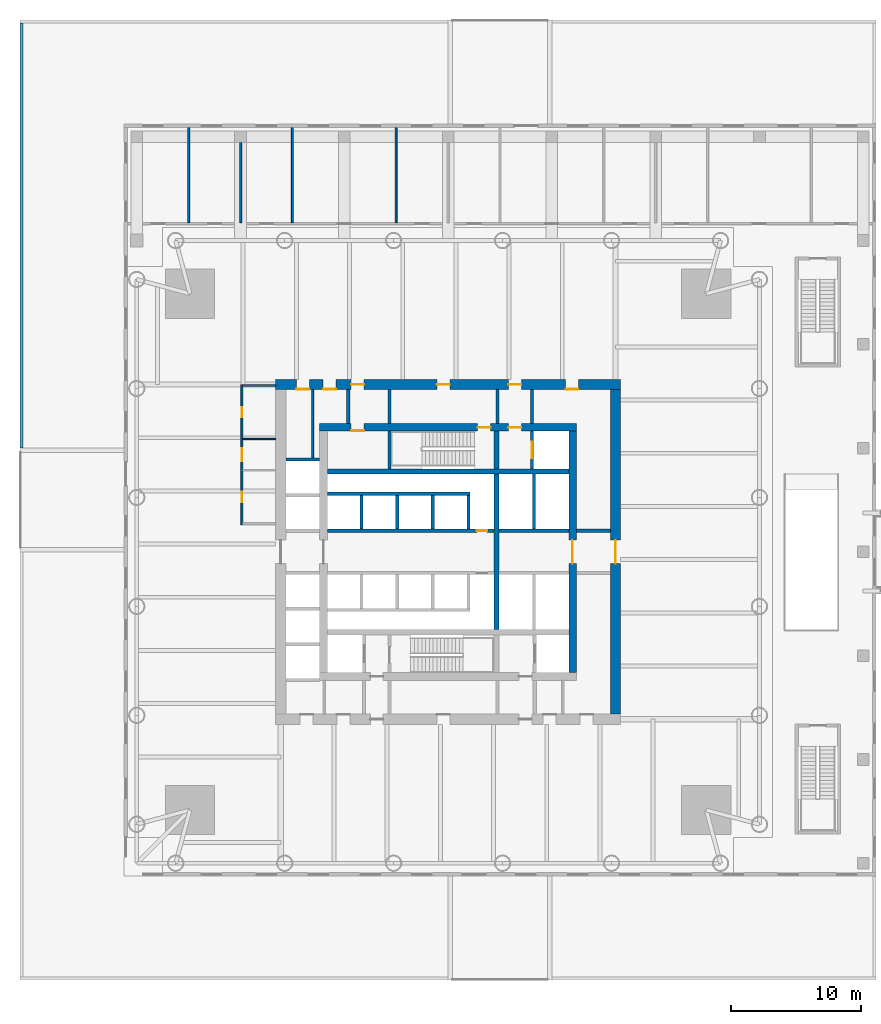
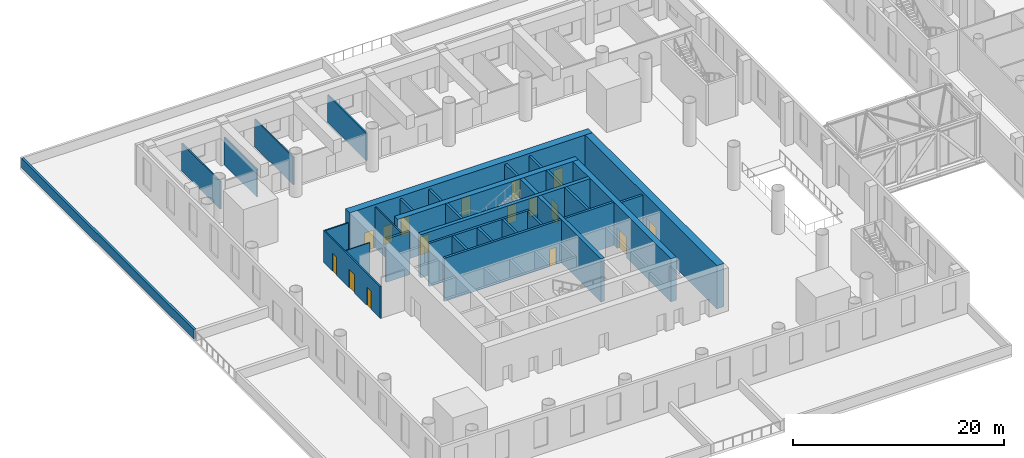
# One storey, part 11 of 23: 32 walls, 16 doors, 16 openings.
"""IFC4 building model written with IfcOpenShell, lengths in metres."""

from ifc_helpers import new_model, si_unit, direction, frame, frame_2d, origin, place, context, subcontext, project, spatial, rectangle, extrude, material, layer, layer_set, type_object, element, fill, save


model = new_model("IFC4")

# Units and contexts
model_context = context("Model", 3, precision=1e-05, world=origin(), true_north=direction((0.0, 1.0)))
body_context = subcontext(model_context, "Body", "Model", "MODEL_VIEW")
ifc_project = project(units=[si_unit("LENGTHUNIT", "METRE"), si_unit("AREAUNIT", "SQUARE_METRE"), si_unit("VOLUMEUNIT", "CUBIC_METRE"), si_unit("PLANEANGLEUNIT", "RADIAN"), si_unit("MASSUNIT", "GRAM", prefix="KILO")], contexts=[model_context])

# Site, building, storey
site_placement = place(None, origin())
site = spatial("IfcSite", under=ifc_project, at=site_placement, CompositionType="ELEMENT")
building_placement = place(site_placement, origin())
building = spatial("IfcBuilding", under=site, at=building_placement, Name="Ostroluk Exchange", CompositionType="ELEMENT")
storey_placement = place(building_placement, frame((0.0, 0.0, 11.0)))
storey = spatial("IfcBuildingStorey", under=building, at=storey_placement, Name="L02", CompositionType="ELEMENT", Elevation=11.0)

# Walls
ifc_material_1 = material(Name="Concrete blockwork", Category="masonry")
ifc_layer_1 = layer(ifc_material_1, 0.10009765625)
ifc_layer_set_1 = layer_set([ifc_layer_1], Name="Blockwork WC wall 100")
wall_type_1 = type_object("IfcWallType", Name="Blockwork WC wall 100", PredefinedType="SOLIDWALL", material=ifc_layer_set_1)
wall_1_placement = place(storey_placement, frame((29.175048828125, 54.699951171875, 0.0), z_axis=(0.0, 0.0, 1.0), x_axis=(1.0, 0.0, 0.0)))
element("IfcWall", 1, at=wall_1_placement, inside=storey, type_object=wall_type_1, Name="Blockwork WC wall", PredefinedType="SOLIDWALL", context=body_context, shape_type="SweptSolid", body=[
    extrude(rectangle(XDim=2.52490234375, YDim=0.10009765625, at=frame_2d((1.262451171875, 0.0))), origin(), (0.0, 0.0, 1.0), 3.89990234375),
])
ifc_material_2 = material(Name="Concrete blockwork", Category="masonry")
ifc_layer_2 = layer(ifc_material_2, 0.14990234375)
ifc_layer_set_2 = layer_set([ifc_layer_2], Name="Blockwork plant room wall 150")
wall_type_2 = type_object("IfcWallType", Name="Blockwork plant room wall 150", PredefinedType="SOLIDWALL", material=ifc_layer_set_2)
wall_2_placement = place(storey_placement, frame((34.556884765625, 53.25, 0.0), z_axis=(0.0, 0.0, 1.0), x_axis=(0.0, 1.0, 0.0)))
element("IfcWall", 2, at=wall_2_placement, inside=storey, type_object=wall_type_2, Name="Core room wall", PredefinedType="SOLIDWALL", context=body_context, shape_type="SweptSolid", body=[
    extrude(rectangle(XDim=5.25, YDim=0.14990234375, at=frame_2d((2.625, 0.0))), origin(), (0.0, 0.0, 1.0), 4.699951171875),
])
ifc_material_3 = material(Name="Concrete blockwork", Category="masonry")
ifc_layer_3 = layer(ifc_material_3, 0.25)
ifc_layer_set_3 = layer_set([ifc_layer_3], Name="Blockwork stair enclosure wall 250")
wall_type_3 = type_object("IfcWallType", Name="Blockwork stair enclosure wall 250", PredefinedType="SOLIDWALL", material=ifc_layer_set_3)
for number, where, z_axis, x_axis, name in (
    (3, (48.804931640625, 55.89990234375, 0.0), (0.0, 0.0, 1.0), (0.0, 1.0, 0.0), "Fire lobby enclosure wall"),
    (4, (51.47509765625, 55.89990234375, 0.0), (0.0, 0.0, 1.0), (0.0, 1.0, 0.0), "Fire lobby enclosure wall"),
    (5, (54.89990234375, 47.625, 0.0), (0.0, 0.0, 1.0), (1.0, 0.0, 0.0), "Lift lobby enclosure wall"),
    (6, (40.47509765625, 55.89990234375, 0.0), (0.0, 0.0, 1.0), (0.0, 1.0, 0.0), "Stair lobby enclosure wall"),
    (7, (37.300048828125, 55.89990234375, 0.0), (0.0, 0.0, 1.0), (0.0, 1.0, 0.0), "Core corridor wall"),
):
    element("IfcWall", number, at=place(storey_placement, frame(where, z_axis=z_axis, x_axis=x_axis)), inside=storey, type_object=wall_type_3, Name=name, PredefinedType="SOLIDWALL", context=body_context, shape_type="SweptSolid", body=[
        extrude(rectangle(XDim=2.60009765625, YDim=0.25, at=frame_2d((1.300048828125, 0.0))), origin(), (0.0, 0.0, 1.0), 4.699951171875),
    ])
ifc_material_4 = material(Name="Concrete C50/60", Category="concrete")
ifc_layer_4 = layer(ifc_material_4, 0.39990234375)
ifc_layer_set_4 = layer_set([ifc_layer_4], Name="Core cross wall 400 C50/60")
wall_type_4 = type_object("IfcWallType", Name="Core cross wall 400 C50/60", PredefinedType="SHEAR", material=ifc_layer_set_4)
wall_3_placement = place(storey_placement, frame((35.699951171875, 52.199951171875, 0.0), z_axis=(0.0, 0.0, 1.0), x_axis=(1.0, 0.0, 0.0)))
element("IfcWall", 8, at=wall_3_placement, inside=storey, type_object=wall_type_4, Name="T1 core wall XN", PredefinedType="SHEAR", context=body_context, shape_type="SweptSolid", body=[
    extrude(rectangle(XDim=18.60009765625, YDim=0.39990234375, at=frame_2d((9.300048828125, 0.0))), origin(), (0.0, 0.0, 1.0), 5.0),
])
wall_4_placement = place(storey_placement, frame((48.72998046875, 40.0, 0.0), z_axis=(0.0, 0.0, 1.0), x_axis=(0.0, 1.0, 0.0)))
element("IfcWall", 9, at=wall_4_placement, inside=storey, type_object=wall_type_4, Name="T1 core wall YE2", PredefinedType="SHEAR", context=body_context, shape_type="SweptSolid", body=[
    extrude(rectangle(XDim=12.0, YDim=0.39990234375, at=frame_2d((6.0, 0.0))), origin(), (0.0, 0.0, 1.0), 5.0),
])
wall_5_placement = place(storey_placement, frame((48.72998046875, 52.39990234375, 0.0), z_axis=(0.0, 0.0, 1.0), x_axis=(0.0, 1.0, 0.0)))
element("IfcWall", 10, at=wall_5_placement, inside=storey, type_object=wall_type_4, Name="T1 core wall YE3", PredefinedType="SHEAR", context=body_context, shape_type="SweptSolid", body=[
    extrude(rectangle(XDim=2.900146484375, YDim=0.39990234375, at=frame_2d((1.4501953125, 0.0))), origin(), (0.0, 0.0, 1.0), 5.0),
])
ifc_material_5 = material(Name="Concrete C40/50", Category="concrete")
ifc_layer_5 = layer(ifc_material_5, 0.25)
ifc_layer_set_5 = layer_set([ifc_layer_5], Name="Core shaft wall 250")
wall_type_5 = type_object("IfcWallType", Name="Core shaft wall 250", PredefinedType="SHEAR", material=ifc_layer_set_5)
wall_6_placement = place(storey_placement, frame((40.47509765625, 52.39990234375, 0.0), z_axis=(0.0, 0.0, 1.0), x_axis=(0.0, 1.0, 0.0)))
element("IfcWall", 11, at=wall_6_placement, inside=storey, type_object=wall_type_5, Name="Stair shaft wall", PredefinedType="SHEAR", context=body_context, shape_type="SweptSolid", body=[
    extrude(rectangle(XDim=2.900146484375, YDim=0.25, at=frame_2d((1.4501953125, 0.0))), origin(), (0.0, 0.0, 1.0), 5.0),
])

# Wall, opening, door
wall_7_placement = place(storey_placement, frame((51.47509765625, 52.39990234375, 0.0), z_axis=(0.0, 0.0, 1.0), x_axis=(0.0, 1.0, 0.0)))
wall_7 = element("IfcWall", 12, at=wall_7_placement, inside=storey, type_object=wall_type_5, Name="Firefighting lift shaft wall", PredefinedType="SHEAR", context=body_context, shape_type="SweptSolid", body=[
    extrude(rectangle(XDim=2.900146484375, YDim=0.25, at=frame_2d((1.4501953125, 0.0))), origin(), (0.0, 0.0, 1.0), 5.0),
])
opening_1_placement = place(wall_7_placement, frame((0.800048828125, 0.0, 0.0)))
opening_1 = element("IfcOpeningElement", 13, at=opening_1_placement, cuts=wall_7, Name="Opening LD2", PredefinedType="OPENING", context=body_context, shape_type="SweptSolid", body=[
    extrude(rectangle(XDim=1.300048828125, YDim=2.199951171875, at=frame_2d((0.64990234375, 1.10009765625))), frame((0.0, 0.135009765625, 0.0), z_axis=(0.0, -1.0, 0.0), x_axis=(1.0, 0.0, 0.0)), (0.0, 0.0, 1.0), 0.27001953125),
])
ifc_material_6 = material(Name="Stainless steel", Category="steel")
door_type_1 = type_object("IfcDoorType", Name="Lift landing door E 60 1300 x 2200", OperationType="DOUBLE_DOOR_SLIDING", PredefinedType="DOOR", material=ifc_material_6)
door_1_placement = place(opening_1_placement, origin())
door_1 = element("IfcDoor", 14, at=door_1_placement, inside=storey, type_object=door_type_1, Name="Lift FL2 landing door", OperationType="DOUBLE_DOOR_SLIDING", OverallHeight=2.199951171875, OverallWidth=1.300048828125, PredefinedType="DOOR", context=body_context, shape_type="SweptSolid", body=[
    extrude(rectangle(XDim=1.300048828125, YDim=2.199951171875, at=frame_2d((0.64990234375, 1.10009765625))), frame((0.0, 0.02490234375, 0.0), z_axis=(0.0, -1.0, 0.0), x_axis=(1.0, 0.0, 0.0)), (0.0, 0.0, 1.0), 0.050048828125),
])
fill(opening_1, door_1)

# Walls
for number, where, z_axis, x_axis, name in (
    (15, (38.324951171875, 47.75, 0.0), (0.0, 0.0, 1.0), (0.0, 1.0, 0.0), "Lift shaft wall"),
    (16, (41.074951171875, 47.75, 0.0), (0.0, 0.0, 1.0), (0.0, 1.0, 0.0), "Lift shaft wall"),
    (17, (43.824951171875, 47.75, 0.0), (0.0, 0.0, 1.0), (0.0, 1.0, 0.0), "Lift shaft wall"),
    (18, (46.574951171875, 47.75, 0.0), (0.0, 0.0, 1.0), (0.0, 1.0, 0.0), "Lift shaft wall"),
):
    element("IfcWall", number, at=place(storey_placement, frame(where, z_axis=z_axis, x_axis=x_axis)), inside=storey, type_object=wall_type_5, Name=name, PredefinedType="SHEAR", context=body_context, shape_type="SweptSolid", body=[
        extrude(rectangle(XDim=2.60009765625, YDim=0.25, at=frame_2d((1.300048828125, 0.0))), origin(), (0.0, 0.0, 1.0), 5.0),
    ])
wall_8_placement = place(storey_placement, frame((35.699951171875, 50.47509765625, 0.0), z_axis=(0.0, 0.0, 1.0), x_axis=(1.0, 0.0, 0.0)))
element("IfcWall", 19, at=wall_8_placement, inside=storey, type_object=wall_type_5, Name="Lift shaft wall", PredefinedType="SHEAR", context=body_context, shape_type="SweptSolid", body=[
    extrude(rectangle(XDim=11.0, YDim=0.25, at=frame_2d((5.5, 0.0))), origin(), (0.0, 0.0, 1.0), 5.0),
])

# Wall, opening, door
wall_9_placement = place(storey_placement, frame((35.699951171875, 47.625, 0.0), z_axis=(0.0, 0.0, 1.0), x_axis=(1.0, 0.0, 0.0)))
wall_9 = element("IfcWall", 20, at=wall_9_placement, inside=storey, type_object=wall_type_5, Name="Lift shaft front wall", PredefinedType="SHEAR", context=body_context, shape_type="SweptSolid", body=[
    extrude(rectangle(XDim=12.830078125, YDim=0.25, at=frame_2d((6.4150390625, 0.0))), origin(), (0.0, 0.0, 1.0), 5.0),
])
opening_2_placement = place(wall_9_placement, frame((11.514892578125, 0.0, 0.0)))
opening_2 = element("IfcOpeningElement", 21, at=opening_2_placement, cuts=wall_9, Name="Opening RD60", PredefinedType="OPENING", context=body_context, shape_type="SweptSolid", body=[
    extrude(rectangle(XDim=0.800048828125, YDim=2.0, at=frame_2d((0.39990234375, 1.0))), frame((0.0, 0.135009765625, 0.0), z_axis=(0.0, -1.0, 0.0), x_axis=(1.0, 0.0, 0.0)), (0.0, 0.0, 1.0), 0.27001953125),
])
ifc_material_7 = material(Name="Steel", Category="steel")
door_type_2 = type_object("IfcDoorType", Name="Riser access door EI 60 800 x 2000", OperationType="SINGLE_SWING_LEFT", PredefinedType="DOOR", material=ifc_material_7)
door_2_placement = place(opening_2_placement, origin())
door_2 = element("IfcDoor", 22, at=door_2_placement, inside=storey, type_object=door_type_2, Name="Riser access door", OperationType="SINGLE_SWING_RIGHT", OverallHeight=2.0, OverallWidth=0.800048828125, PredefinedType="DOOR", context=body_context, shape_type="SweptSolid", body=[
    extrude(rectangle(XDim=0.800048828125, YDim=2.0, at=frame_2d((0.39990234375, 1.0))), frame((0.0, 0.02490234375, 0.0), z_axis=(0.0, -1.0, 0.0), x_axis=(1.0, 0.0, 0.0)), (0.0, 0.0, 1.0), 0.050048828125),
])
fill(opening_2, door_2)

# Walls
wall_10_placement = place(storey_placement, frame((51.614990234375, 47.75, 0.0), z_axis=(0.0, 0.0, 1.0), x_axis=(0.0, 1.0, 0.0)))
element("IfcWall", 23, at=wall_10_placement, inside=storey, type_object=wall_type_5, Name="Lift shaft wall", PredefinedType="SHEAR", context=body_context, shape_type="SweptSolid", body=[
    extrude(rectangle(XDim=4.25, YDim=0.25, at=frame_2d((2.125, 0.0))), origin(), (0.0, 0.0, 1.0), 5.0),
])
wall_11_placement = place(storey_placement, frame((48.929931640625, 47.625, 0.0), z_axis=(0.0, 0.0, 1.0), x_axis=(1.0, 0.0, 0.0)))
element("IfcWall", 24, at=wall_11_placement, inside=storey, type_object=wall_type_5, Name="Lift shaft front wall", PredefinedType="SHEAR", context=body_context, shape_type="SweptSolid", body=[
    extrude(rectangle(XDim=5.3701171875, YDim=0.25, at=frame_2d((2.68505859375, 0.0))), origin(), (0.0, 0.0, 1.0), 5.0),
])
wall_12_placement = place(storey_placement, frame((32.5, 53.125, 0.0), z_axis=(0.0, 0.0, 1.0), x_axis=(1.0, 0.0, 0.0)))
element("IfcWall", 25, at=wall_12_placement, inside=storey, type_object=wall_type_5, Name="Lift shaft wall", PredefinedType="SHEAR", context=body_context, shape_type="SweptSolid", body=[
    extrude(rectangle(XDim=2.60009765625, YDim=0.25, at=frame_2d((1.300048828125, 0.0))), origin(), (0.0, 0.0, 1.0), 5.0),
])

# Wall, openings, doors
ifc_material_8 = material(Name="Concrete C50/60", Category="concrete")
ifc_layer_6 = layer(ifc_material_8, 0.60009765625)
ifc_layer_set_6 = layer_set([ifc_layer_6], Name="Core wall 600 C50/60")
wall_type_6 = type_object("IfcWallType", Name="Core wall 600 C50/60", PredefinedType="SHEAR", material=ifc_layer_set_6)
wall_13_placement = place(storey_placement, frame((35.10009765625, 55.60009765625, 0.0), z_axis=(0.0, 0.0, 1.0), x_axis=(1.0, 0.0, 0.0)))
wall_13 = element("IfcWall", 26, at=wall_13_placement, inside=storey, type_object=wall_type_6, Name="T1 core wall N", PredefinedType="SHEAR", context=body_context, shape_type="SweptSolid", body=[
    extrude(rectangle(XDim=19.7998046875, YDim=0.60009765625, at=frame_2d((9.89990234375, 0.0))), origin(), (0.0, 0.0, 1.0), 5.0),
])
opening_3_placement = place(wall_13_placement, frame((14.5400390625, 0.0, 0.0)))
opening_3 = element("IfcOpeningElement", 27, at=opening_3_placement, cuts=wall_13, Name="Opening FD60", PredefinedType="OPENING", context=body_context, shape_type="SweptSolid", body=[
    extrude(rectangle(XDim=1.0, YDim=2.10009765625, at=frame_2d((0.5, 1.050048828125))), frame((0.0, 0.31005859375, 0.0), z_axis=(0.0, -1.0, 0.0), x_axis=(1.0, 0.0, 0.0)), (0.0, 0.0, 1.0), 0.6201171875),
])
opening_4_placement = place(wall_13_placement, frame((12.179931640625, 0.0, 0.0)))
opening_4 = element("IfcOpeningElement", 28, at=opening_4_placement, cuts=wall_13, Name="Opening FD60", PredefinedType="OPENING", context=body_context, shape_type="SweptSolid", body=[
    extrude(rectangle(XDim=1.0, YDim=2.10009765625, at=frame_2d((0.5, 1.050048828125))), frame((0.0, 0.31005859375, 0.0), z_axis=(0.0, -1.0, 0.0), x_axis=(1.0, 0.0, 0.0)), (0.0, 0.0, 1.0), 0.6201171875),
])
opening_5_placement = place(wall_13_placement, frame((2.425048828125, 0.0, 0.0)))
opening_5 = element("IfcOpeningElement", 29, at=opening_5_placement, cuts=wall_13, Name="Opening FD60", PredefinedType="OPENING", context=body_context, shape_type="SweptSolid", body=[
    extrude(rectangle(XDim=1.0, YDim=2.10009765625, at=frame_2d((0.5, 1.050048828125))), frame((0.0, 0.31005859375, 0.0), z_axis=(0.0, -1.0, 0.0), x_axis=(1.0, 0.0, 0.0)), (0.0, 0.0, 1.0), 0.6201171875),
])
ifc_material_9 = material(Name="Steel", Category="steel")
door_type_3 = type_object("IfcDoorType", Name="Fire door EI 60 1000 x 2100", OperationType="SINGLE_SWING_LEFT", PredefinedType="DOOR", material=ifc_material_9)
door_3_placement = place(opening_3_placement, origin())
door_3 = element("IfcDoor", 30, at=door_3_placement, inside=storey, type_object=door_type_3, Name="Firefighting lobby door", OperationType="SINGLE_SWING_RIGHT", OverallHeight=2.10009765625, OverallWidth=1.0, PredefinedType="DOOR", context=body_context, shape_type="SweptSolid", body=[
    extrude(rectangle(XDim=1.0, YDim=2.10009765625, at=frame_2d((0.5, 1.050048828125))), frame((0.0, 0.02490234375, 0.0), z_axis=(0.0, -1.0, 0.0), x_axis=(1.0, 0.0, 0.0)), (0.0, 0.0, 1.0), 0.050048828125),
])
fill(opening_3, door_3)
door_4_placement = place(opening_4_placement, origin())
door_4 = element("IfcDoor", 31, at=door_4_placement, inside=storey, type_object=door_type_3, Name="Stair T1-S2 door", OperationType="SINGLE_SWING_RIGHT", OverallHeight=2.10009765625, OverallWidth=1.0, PredefinedType="DOOR", context=body_context, shape_type="SweptSolid", body=[
    extrude(rectangle(XDim=1.0, YDim=2.10009765625, at=frame_2d((0.5, 1.050048828125))), frame((0.0, 0.02490234375, 0.0), z_axis=(0.0, -1.0, 0.0), x_axis=(1.0, 0.0, 0.0)), (0.0, 0.0, 1.0), 0.050048828125),
])
fill(opening_4, door_4)
door_5_placement = place(opening_5_placement, origin())
door_5 = element("IfcDoor", 32, at=door_5_placement, inside=storey, type_object=door_type_3, Name="Cleaner's store door", OperationType="SINGLE_SWING_LEFT", OverallHeight=2.10009765625, OverallWidth=1.0, PredefinedType="DOOR", context=body_context, shape_type="SweptSolid", body=[
    extrude(rectangle(XDim=1.0, YDim=2.10009765625, at=frame_2d((0.5, 1.050048828125))), frame((0.0, -0.23974609375, 0.0), z_axis=(0.0, -1.0, 0.0), x_axis=(1.0, 0.0, 0.0)), (0.0, 0.0, 1.0), 0.050048828125),
])
fill(opening_5, door_5)

# Wall, opening, door
wall_14_placement = place(storey_placement, frame((54.60009765625, 36.699951171875, 0.0), z_axis=(0.0, 0.0, 1.0), x_axis=(0.0, 1.0, 0.0)))
wall_14 = element("IfcWall", 33, at=wall_14_placement, inside=storey, type_object=wall_type_6, Name="T1 core wall E", PredefinedType="SHEAR", context=body_context, shape_type="SweptSolid", body=[
    extrude(rectangle(XDim=18.60009765625, YDim=0.60009765625, at=frame_2d((9.300048828125, 0.0))), origin(), (0.0, 0.0, 1.0), 5.0),
])
opening_6_placement = place(wall_14_placement, frame((8.39990234375, 0.0, 0.0)))
opening_6 = element("IfcOpeningElement", 34, at=opening_6_placement, cuts=wall_14, Name="Opening FD30D", PredefinedType="OPENING", context=body_context, shape_type="SweptSolid", body=[
    extrude(rectangle(XDim=1.800048828125, YDim=2.39990234375, at=frame_2d((0.89990234375, 1.199951171875))), frame((0.0, 0.31005859375, 0.0), z_axis=(0.0, -1.0, 0.0), x_axis=(1.0, 0.0, 0.0)), (0.0, 0.0, 1.0), 0.6201171875),
])
ifc_material_10 = material(Name="Timber", Category="wood")
door_type_4 = type_object("IfcDoorType", Name="Lobby double door EI 30 1800 x 2400", OperationType="DOUBLE_DOOR_SINGLE_SWING", PredefinedType="DOOR", material=ifc_material_10)
door_6_placement = place(opening_6_placement, origin())
door_6 = element("IfcDoor", 35, at=door_6_placement, inside=storey, type_object=door_type_4, Name="Lift lobby doors", OperationType="DOUBLE_DOOR_SINGLE_SWING", OverallHeight=2.39990234375, OverallWidth=1.800048828125, PredefinedType="DOOR", context=body_context, shape_type="SweptSolid", body=[
    extrude(rectangle(XDim=1.800048828125, YDim=2.39990234375, at=frame_2d((0.89990234375, 1.199951171875))), frame((0.0, 0.02490234375, 0.0), z_axis=(0.0, -1.0, 0.0), x_axis=(1.0, 0.0, 0.0)), (0.0, 0.0, 1.0), 0.050048828125),
])
fill(opening_6, door_6)

# Wall, openings, doors
ifc_material_11 = material(Name="Concrete C50/60", Category="concrete")
ifc_layer_7 = layer(ifc_material_11, 0.800048828125)
ifc_layer_set_7 = layer_set([ifc_layer_7], Name="Core wall 800 C50/60")
wall_type_7 = type_object("IfcWallType", Name="Core wall 800 C50/60", PredefinedType="SHEAR", material=ifc_layer_set_7)
wall_15_placement = place(storey_placement, frame((31.699951171875, 58.89990234375, 0.0), z_axis=(0.0, 0.0, 1.0), x_axis=(1.0, 0.0, 0.0)))
wall_15 = element("IfcWall", 36, at=wall_15_placement, inside=storey, type_object=wall_type_7, Name="T1 core wall RN", PredefinedType="SHEAR", context=body_context, shape_type="SweptSolid", body=[
    extrude(rectangle(XDim=26.60009765625, YDim=0.800048828125, at=frame_2d((13.300048828125, 0.0))), origin(), (0.0, 0.0, 1.0), 5.0),
])
opening_7_placement = place(wall_15_placement, frame((17.93994140625, 0.0, 0.0)))
opening_7 = element("IfcOpeningElement", 37, at=opening_7_placement, cuts=wall_15, Name="Opening FD60", PredefinedType="OPENING", context=body_context, shape_type="SweptSolid", body=[
    extrude(rectangle(XDim=1.0, YDim=2.10009765625, at=frame_2d((0.5, 1.050048828125))), frame((0.0, 0.409912109375, 0.0), z_axis=(0.0, -1.0, 0.0), x_axis=(1.0, 0.0, 0.0)), (0.0, 0.0, 1.0), 0.820068359375),
])
opening_8_placement = place(wall_15_placement, frame((12.43994140625, 0.0, 0.0)))
opening_8 = element("IfcOpeningElement", 38, at=opening_8_placement, cuts=wall_15, Name="Opening FD60", PredefinedType="OPENING", context=body_context, shape_type="SweptSolid", body=[
    extrude(rectangle(XDim=1.0, YDim=2.10009765625, at=frame_2d((0.5, 1.050048828125))), frame((0.0, 0.409912109375, 0.0), z_axis=(0.0, -1.0, 0.0), x_axis=(1.0, 0.0, 0.0)), (0.0, 0.0, 1.0), 0.820068359375),
])
opening_9_placement = place(wall_15_placement, frame((5.824951171875, 0.0, 0.0)))
opening_9 = element("IfcOpeningElement", 39, at=opening_9_placement, cuts=wall_15, Name="Opening FD60", PredefinedType="OPENING", context=body_context, shape_type="SweptSolid", body=[
    extrude(rectangle(XDim=1.0, YDim=2.10009765625, at=frame_2d((0.5, 1.050048828125))), frame((0.0, 0.409912109375, 0.0), z_axis=(0.0, -1.0, 0.0), x_axis=(1.0, 0.0, 0.0)), (0.0, 0.0, 1.0), 0.820068359375),
])
opening_10_placement = place(wall_15_placement, frame((1.60693359375, 0.0, 0.0)))
opening_10 = element("IfcOpeningElement", 40, at=opening_10_placement, cuts=wall_15, Name="Opening FD60", PredefinedType="OPENING", context=body_context, shape_type="SweptSolid", body=[
    extrude(rectangle(XDim=1.0, YDim=2.10009765625, at=frame_2d((0.5, 1.050048828125))), frame((0.0, 0.409912109375, 0.0), z_axis=(0.0, -1.0, 0.0), x_axis=(1.0, 0.0, 0.0)), (0.0, 0.0, 1.0), 0.820068359375),
])
opening_11_placement = place(wall_15_placement, frame((3.666015625, 0.0, 0.0)))
opening_11 = element("IfcOpeningElement", 41, at=opening_11_placement, cuts=wall_15, Name="Opening FD60", PredefinedType="OPENING", context=body_context, shape_type="SweptSolid", body=[
    extrude(rectangle(XDim=1.0, YDim=2.10009765625, at=frame_2d((0.5, 1.050048828125))), frame((0.0, 0.409912109375, 0.0), z_axis=(0.0, -1.0, 0.0), x_axis=(1.0, 0.0, 0.0)), (0.0, 0.0, 1.0), 0.820068359375),
])
opening_12_placement = place(wall_15_placement, frame((22.35009765625, 0.0, 0.0)))
opening_12 = element("IfcOpeningElement", 42, at=opening_12_placement, cuts=wall_15, Name="Opening FD60", PredefinedType="OPENING", context=body_context, shape_type="SweptSolid", body=[
    extrude(rectangle(XDim=1.0, YDim=2.10009765625, at=frame_2d((0.5, 1.050048828125))), frame((0.0, 0.409912109375, 0.0), z_axis=(0.0, -1.0, 0.0), x_axis=(1.0, 0.0, 0.0)), (0.0, 0.0, 1.0), 0.820068359375),
])
door_7_placement = place(opening_7_placement, origin())
door_7 = element("IfcDoor", 43, at=door_7_placement, inside=storey, type_object=door_type_3, Name="Firefighting lobby door", OperationType="SINGLE_SWING_RIGHT", OverallHeight=2.10009765625, OverallWidth=1.0, PredefinedType="DOOR", context=body_context, shape_type="SweptSolid", body=[
    extrude(rectangle(XDim=1.0, YDim=2.10009765625, at=frame_2d((0.5, 1.050048828125))), frame((0.0, 0.02490234375, 0.0), z_axis=(0.0, -1.0, 0.0), x_axis=(1.0, 0.0, 0.0)), (0.0, 0.0, 1.0), 0.050048828125),
])
fill(opening_7, door_7)
door_8_placement = place(opening_8_placement, origin())
door_8 = element("IfcDoor", 44, at=door_8_placement, inside=storey, type_object=door_type_3, Name="Stair lobby door", OperationType="SINGLE_SWING_LEFT", OverallHeight=2.10009765625, OverallWidth=1.0, PredefinedType="DOOR", context=body_context, shape_type="SweptSolid", body=[
    extrude(rectangle(XDim=1.0, YDim=2.10009765625, at=frame_2d((0.5, 1.050048828125))), frame((0.0, 0.02490234375, 0.0), z_axis=(0.0, -1.0, 0.0), x_axis=(1.0, 0.0, 0.0)), (0.0, 0.0, 1.0), 0.050048828125),
])
fill(opening_8, door_8)
door_9_placement = place(opening_9_placement, origin())
door_9 = element("IfcDoor", 45, at=door_9_placement, inside=storey, type_object=door_type_3, Name="Core corridor door", OperationType="SINGLE_SWING_LEFT", OverallHeight=2.10009765625, OverallWidth=1.0, PredefinedType="DOOR", context=body_context, shape_type="SweptSolid", body=[
    extrude(rectangle(XDim=1.0, YDim=2.10009765625, at=frame_2d((0.5, 1.050048828125))), frame((0.0, 0.02490234375, 0.0), z_axis=(0.0, -1.0, 0.0), x_axis=(1.0, 0.0, 0.0)), (0.0, 0.0, 1.0), 0.050048828125),
])
fill(opening_9, door_9)
door_10_placement = place(opening_10_placement, origin())
door_10 = element("IfcDoor", 46, at=door_10_placement, inside=storey, type_object=door_type_3, Name="Comms switch room door", OperationType="SINGLE_SWING_LEFT", OverallHeight=2.10009765625, OverallWidth=1.0, PredefinedType="DOOR", context=body_context, shape_type="SweptSolid", body=[
    extrude(rectangle(XDim=1.0, YDim=2.10009765625, at=frame_2d((0.5, 1.050048828125))), frame((0.0, -0.33984375, 0.0), z_axis=(0.0, -1.0, 0.0), x_axis=(1.0, 0.0, 0.0)), (0.0, 0.0, 1.0), 0.050048828125),
])
fill(opening_10, door_10)
door_11_placement = place(opening_11_placement, origin())
door_11 = element("IfcDoor", 47, at=door_11_placement, inside=storey, type_object=door_type_3, Name="Electrical switch room door", OperationType="SINGLE_SWING_LEFT", OverallHeight=2.10009765625, OverallWidth=1.0, PredefinedType="DOOR", context=body_context, shape_type="SweptSolid", body=[
    extrude(rectangle(XDim=1.0, YDim=2.10009765625, at=frame_2d((0.5, 1.050048828125))), frame((0.0, -0.33984375, 0.0), z_axis=(0.0, -1.0, 0.0), x_axis=(1.0, 0.0, 0.0)), (0.0, 0.0, 1.0), 0.050048828125),
])
fill(opening_11, door_11)
door_12_placement = place(opening_12_placement, origin())
door_12 = element("IfcDoor", 48, at=door_12_placement, inside=storey, type_object=door_type_3, Name="Cleaner's store door", OperationType="SINGLE_SWING_RIGHT", OverallHeight=2.10009765625, OverallWidth=1.0, PredefinedType="DOOR", context=body_context, shape_type="SweptSolid", body=[
    extrude(rectangle(XDim=1.0, YDim=2.10009765625, at=frame_2d((0.5, 1.050048828125))), frame((0.0, -0.33984375, 0.0), z_axis=(0.0, -1.0, 0.0), x_axis=(1.0, 0.0, 0.0)), (0.0, 0.0, 1.0), 0.050048828125),
])
fill(opening_12, door_12)

# Wall, opening, door
wall_16_placement = place(storey_placement, frame((57.89990234375, 33.5, 0.0), z_axis=(0.0, 0.0, 1.0), x_axis=(0.0, 1.0, 0.0)))
wall_16 = element("IfcWall", 49, at=wall_16_placement, inside=storey, type_object=wall_type_7, Name="T1 core wall RE", PredefinedType="SHEAR", context=body_context, shape_type="SweptSolid", body=[
    extrude(rectangle(XDim=25.0, YDim=0.800048828125, at=frame_2d((12.5, 0.0))), origin(), (0.0, 0.0, 1.0), 5.0),
])
opening_13_placement = place(wall_16_placement, frame((11.60009765625, 0.0, 0.0)))
opening_13 = element("IfcOpeningElement", 50, at=opening_13_placement, cuts=wall_16, Name="Opening FD30D", PredefinedType="OPENING", context=body_context, shape_type="SweptSolid", body=[
    extrude(rectangle(XDim=1.800048828125, YDim=2.39990234375, at=frame_2d((0.89990234375, 1.199951171875))), frame((0.0, 0.409912109375, 0.0), z_axis=(0.0, -1.0, 0.0), x_axis=(1.0, 0.0, 0.0)), (0.0, 0.0, 1.0), 0.820068359375),
])
door_13_placement = place(opening_13_placement, origin())
door_13 = element("IfcDoor", 51, at=door_13_placement, inside=storey, type_object=door_type_4, Name="Lift lobby doors", OperationType="DOUBLE_DOOR_SINGLE_SWING", OverallHeight=2.39990234375, OverallWidth=1.800048828125, PredefinedType="DOOR", context=body_context, shape_type="SweptSolid", body=[
    extrude(rectangle(XDim=1.800048828125, YDim=2.39990234375, at=frame_2d((0.89990234375, 1.199951171875))), frame((0.0, 0.02490234375, 0.0), z_axis=(0.0, -1.0, 0.0), x_axis=(1.0, 0.0, 0.0)), (0.0, 0.0, 1.0), 0.050048828125),
])
fill(opening_13, door_13)

# Walls
ifc_material_12 = material(Name="Limestone", Category="masonry")
ifc_layer_8 = layer(ifc_material_12, 0.25)
ifc_layer_set_8 = layer_set([ifc_layer_8], Name="Green roof parapet 250")
wall_type_8 = type_object("IfcWallType", Name="Green roof parapet 250", PredefinedType="PARAPET", material=ifc_layer_set_8)
wall_17_placement = place(storey_placement, frame((12.125, 54.010009765625, 0.0), z_axis=(0.0, 0.0, 1.0), x_axis=(0.0, 1.0, 0.0)))
element("IfcWall", 52, at=wall_17_placement, inside=storey, type_object=wall_type_8, Name="Green roof parapet L02 1", PredefinedType="PARAPET", context=body_context, shape_type="SweptSolid", body=[
    extrude(rectangle(XDim=32.739990234375, YDim=0.25, at=frame_2d((16.3701171875, 0.0))), origin(), (0.0, 0.0, 1.0), 1.10009765625),
])
ifc_material_13 = material(Name="Gypsum plasterboard partition", Category="gypsum")
ifc_layer_9 = layer(ifc_material_13, 0.14990234375)
ifc_layer_set_9 = layer_set([ifc_layer_9], Name="Plasterboard partition 150")
wall_type_9 = type_object("IfcWallType", Name="Plasterboard partition 150", PredefinedType="PARTITIONING", material=ifc_layer_set_9)
wall_18_placement = place(storey_placement, frame((25.0, 71.375, 0.0), z_axis=(0.0, 0.0, 1.0), x_axis=(0.0, 1.0, 0.0)))
element("IfcWall", 53, at=wall_18_placement, inside=storey, type_object=wall_type_9, Name="Partition", PredefinedType="PARTITIONING", context=body_context, shape_type="SweptSolid", body=[
    extrude(rectangle(XDim=7.324951171875, YDim=0.14990234375, at=frame_2d((3.66259765625, 0.0))), origin(), (0.0, 0.0, 1.0), 3.199951171875),
])
wall_19_placement = place(storey_placement, frame((29.0, 71.375, 0.0), z_axis=(0.0, 0.0, 1.0), x_axis=(0.0, 1.0, 0.0)))
element("IfcWall", 54, at=wall_19_placement, inside=storey, type_object=wall_type_9, Name="Partition", PredefinedType="PARTITIONING", context=body_context, shape_type="SweptSolid", body=[
    extrude(rectangle(XDim=6.175048828125, YDim=0.14990234375, at=frame_2d((3.08740234375, 0.0))), origin(), (0.0, 0.0, 1.0), 3.199951171875),
])
for number, where, z_axis, x_axis, name in (
    (55, (33.0, 71.375, 0.0), (0.0, 0.0, 1.0), (0.0, 1.0, 0.0), "Partition"),
    (56, (41.0, 71.375, 0.0), (0.0, 0.0, 1.0), (0.0, 1.0, 0.0), "Partition"),
):
    element("IfcWall", number, at=place(storey_placement, frame(where, z_axis=z_axis, x_axis=x_axis)), inside=storey, type_object=wall_type_9, Name=name, PredefinedType="PARTITIONING", context=body_context, shape_type="SweptSolid", body=[
        extrude(rectangle(XDim=7.324951171875, YDim=0.14990234375, at=frame_2d((3.66259765625, 0.0))), origin(), (0.0, 0.0, 1.0), 3.199951171875),
    ])

# Wall, openings, doors
ifc_material_14 = material(Name="Gypsum plasterboard partition, moisture resistant", Category="gypsum")
ifc_layer_10 = layer(ifc_material_14, 0.14990234375)
ifc_layer_set_10 = layer_set([ifc_layer_10], Name="Plasterboard toilet partition 150")
wall_type_10 = type_object("IfcWallType", Name="Plasterboard toilet partition 150", PredefinedType="PARTITIONING", material=ifc_layer_set_10)
wall_20_placement = place(storey_placement, frame((29.10009765625, 58.89990234375, 0.0), z_axis=(0.0, 0.0, 1.0), x_axis=(0.0, -1.0, 0.0)))
wall_20 = element("IfcWall", 57, at=wall_20_placement, inside=storey, type_object=wall_type_10, Name="Toilet partition", PredefinedType="PARTITIONING", context=body_context, shape_type="SweptSolid", body=[
    extrude(rectangle(XDim=10.7998046875, YDim=0.14990234375, at=frame_2d((5.39990234375, 0.0))), origin(), (0.0, 0.0, 1.0), 3.68798828125),
])
opening_14_placement = place(wall_20_placement, frame((1.737548828125, 0.0, 0.0)))
opening_14 = element("IfcOpeningElement", 58, at=opening_14_placement, cuts=wall_20, Name="Opening D-06", PredefinedType="OPENING", context=body_context, shape_type="SweptSolid", body=[
    extrude(rectangle(XDim=0.800048828125, YDim=2.10009765625, at=frame_2d((0.39990234375, 1.050048828125))), frame((0.0, 0.0849609375, 0.0), z_axis=(0.0, -1.0, 0.0), x_axis=(1.0, 0.0, 0.0)), (0.0, 0.0, 1.0), 0.169921875),
])
opening_15_placement = place(wall_20_placement, frame((4.89990234375, 0.0, 0.0)))
opening_15 = element("IfcOpeningElement", 59, at=opening_15_placement, cuts=wall_20, Name="Opening D-03", PredefinedType="OPENING", context=body_context, shape_type="SweptSolid", body=[
    extrude(rectangle(XDim=1.0, YDim=2.10009765625, at=frame_2d((0.5, 1.050048828125))), frame((0.0, 0.0849609375, 0.0), z_axis=(0.0, -1.0, 0.0), x_axis=(1.0, 0.0, 0.0)), (0.0, 0.0, 1.0), 0.169921875),
])
opening_16_placement = place(wall_20_placement, frame((8.262451171875, 0.0, 0.0)))
opening_16 = element("IfcOpeningElement", 60, at=opening_16_placement, cuts=wall_20, Name="Opening D-06", PredefinedType="OPENING", context=body_context, shape_type="SweptSolid", body=[
    extrude(rectangle(XDim=0.800048828125, YDim=2.10009765625, at=frame_2d((0.39990234375, 1.050048828125))), frame((0.0, 0.0849609375, 0.0), z_axis=(0.0, -1.0, 0.0), x_axis=(1.0, 0.0, 0.0)), (0.0, 0.0, 1.0), 0.169921875),
])
ifc_material_15 = material(Name="Timber", Category="wood")
door_type_5 = type_object("IfcDoorType", Name="Internal door 1000 x 2100", OperationType="SINGLE_SWING_LEFT", PredefinedType="DOOR", material=ifc_material_15)
door_14_placement = place(opening_15_placement, origin())
door_14 = element("IfcDoor", 61, at=door_14_placement, inside=storey, type_object=door_type_5, Name="Accessible WC door", OperationType="SINGLE_SWING_RIGHT", OverallHeight=2.10009765625, OverallWidth=1.0, PredefinedType="DOOR", context=body_context, shape_type="SweptSolid", body=[
    extrude(rectangle(XDim=1.0, YDim=2.10009765625, at=frame_2d((0.5, 1.050048828125))), frame((0.0, 0.02490234375, 0.0), z_axis=(0.0, -1.0, 0.0), x_axis=(1.0, 0.0, 0.0)), (0.0, 0.0, 1.0), 0.050048828125),
])
fill(opening_15, door_14)
ifc_material_16 = material(Name="Timber", Category="wood")
door_type_6 = type_object("IfcDoorType", Name="Toilet door 800 x 2100", OperationType="SINGLE_SWING_LEFT", PredefinedType="DOOR", material=ifc_material_16)
door_15_placement = place(opening_14_placement, origin())
door_15 = element("IfcDoor", 62, at=door_15_placement, inside=storey, type_object=door_type_6, Name="WC female door", OperationType="SINGLE_SWING_LEFT", OverallHeight=2.10009765625, OverallWidth=0.800048828125, PredefinedType="DOOR", context=body_context, shape_type="SweptSolid", body=[
    extrude(rectangle(XDim=0.800048828125, YDim=2.10009765625, at=frame_2d((0.39990234375, 1.050048828125))), frame((0.0, 0.02490234375, 0.0), z_axis=(0.0, -1.0, 0.0), x_axis=(1.0, 0.0, 0.0)), (0.0, 0.0, 1.0), 0.050048828125),
])
fill(opening_14, door_15)
door_16_placement = place(opening_16_placement, origin())
door_16 = element("IfcDoor", 63, at=door_16_placement, inside=storey, type_object=door_type_6, Name="WC male door", OperationType="SINGLE_SWING_RIGHT", OverallHeight=2.10009765625, OverallWidth=0.800048828125, PredefinedType="DOOR", context=body_context, shape_type="SweptSolid", body=[
    extrude(rectangle(XDim=0.800048828125, YDim=2.10009765625, at=frame_2d((0.39990234375, 1.050048828125))), frame((0.0, 0.02490234375, 0.0), z_axis=(0.0, -1.0, 0.0), x_axis=(1.0, 0.0, 0.0)), (0.0, 0.0, 1.0), 0.050048828125),
])
fill(opening_16, door_16)

# Wall
wall_21_placement = place(storey_placement, frame((29.175048828125, 58.824951171875, 0.0), z_axis=(0.0, 0.0, 1.0), x_axis=(1.0, 0.0, 0.0)))
element("IfcWall", 64, at=wall_21_placement, inside=storey, type_object=wall_type_10, Name="Toilet partition", PredefinedType="PARTITIONING", context=body_context, shape_type="SweptSolid", body=[
    extrude(rectangle(XDim=2.52490234375, YDim=0.14990234375, at=frame_2d((1.262451171875, 0.0))), origin(), (0.0, 0.0, 1.0), 3.68798828125),
])

save(model, "model.ifc")
